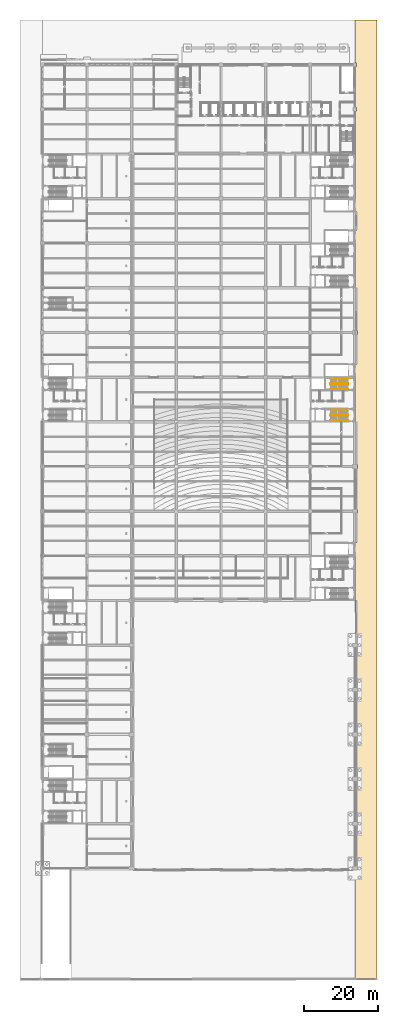
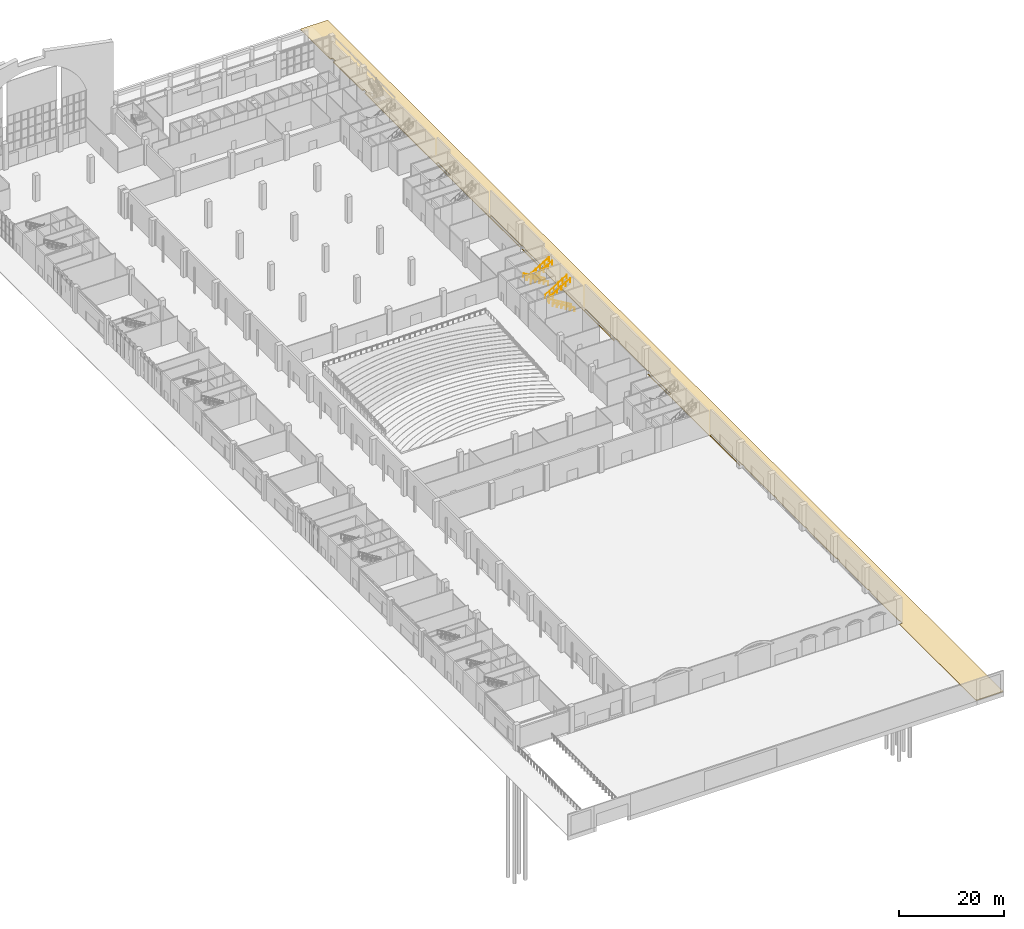
# One storey, part 57 of 59: 8 railings, 1 covering.
"""IFC4 building model written with IfcOpenShell, lengths in metres."""

from ifc_helpers import new_model, si_unit, direction, frame, origin, origin_2d, place, context, subcontext, project, spatial, polyline, circle, outline, extrude, material, layer, layer_set, type_object, element, save


model = new_model("IFC4")

# Units and contexts
model_context = context("Model", 3, precision=1e-05, world=origin(), true_north=direction((0.0, 1.0)))
body_context = subcontext(model_context, "Body", "Model", "MODEL_VIEW")
ifc_project = project(units=[si_unit("LENGTHUNIT", "METRE"), si_unit("AREAUNIT", "SQUARE_METRE"), si_unit("VOLUMEUNIT", "CUBIC_METRE"), si_unit("PLANEANGLEUNIT", "RADIAN"), si_unit("MASSUNIT", "GRAM", prefix="KILO")], contexts=[model_context])

# Site, building, storey
site_placement = place(None, origin())
site = spatial("IfcSite", under=ifc_project, at=site_placement, CompositionType="ELEMENT")
building_placement = place(site_placement, origin())
building = spatial("IfcBuilding", under=site, at=building_placement, Name="Lilac Gate Convention Centre", CompositionType="ELEMENT")
storey_placement = place(building_placement, origin())
storey = spatial("IfcBuildingStorey", under=building, at=storey_placement, Name="L00", CompositionType="ELEMENT", Elevation=0.0)

# Covering
ifc_material_1 = material(Name="Concrete C30", Category="concrete")
ifc_layer = layer(ifc_material_1, 0.14990234375)
ifc_layer_set = layer_set([ifc_layer], Name="Concrete C30")
covering_type = type_object("IfcCoveringType", Name="Paving slab 150", PredefinedType="FLOORING", material=ifc_layer_set)
covering_placement = place(storey_placement, frame((0.0, 0.0, -0.14990234375)))
element("IfcCovering", 1, at=covering_placement, inside=storey, type_object=covering_type, Name="Lane paving east 1", PredefinedType="FLOORING", context=body_context, shape_type="SweptSolid", body=[
    extrude(outline(polyline([(90.0, 258.0), (96.0, 258.0), (96.0, 0.304931640625), (90.0, 0.304931640625), (90.0, 29.5), (90.699951171875, 29.5), (90.699951171875, 30.5), (90.550048828125, 30.5), (90.550048828125, 41.5), (90.699951171875, 41.5), (90.699951171875, 42.5), (90.550048828125, 42.5), (90.550048828125, 53.5), (90.699951171875, 53.5), (90.699951171875, 54.5), (90.550048828125, 54.5), (90.550048828125, 65.5), (90.699951171875, 65.5), (90.699951171875, 66.5), (90.550048828125, 66.5), (90.550048828125, 77.5), (90.699951171875, 77.5), (90.699951171875, 78.5), (90.550048828125, 78.5), (90.550048828125, 89.5), (90.699951171875, 89.5), (90.699951171875, 90.5), (90.550048828125, 90.5), (90.550048828125, 102.0), (90.199951171875, 102.0), (90.199951171875, 90.5), (90.0, 90.5), (90.0, 125.5), (90.199951171875, 125.5), (90.199951171875, 117.60009765625), (90.550048828125, 117.60009765625), (90.550048828125, 125.5), (90.699951171875, 125.5), (90.699951171875, 126.5), (90.550048828125, 126.5), (90.550048828125, 137.5), (90.699951171875, 137.5), (90.699951171875, 138.5), (90.550048828125, 138.5), (90.550048828125, 150.0), (90.199951171875, 150.0), (90.199951171875, 138.5), (90.0, 138.5), (90.0, 173.5), (90.199951171875, 173.5), (90.199951171875, 165.60009765625), (90.550048828125, 165.60009765625), (90.550048828125, 173.5), (90.699951171875, 173.5), (90.699951171875, 174.5), (90.550048828125, 174.5), (90.550048828125, 186.0), (90.199951171875, 186.0), (90.199951171875, 174.5), (90.0, 174.5), (90.0, 233.5), (90.5, 233.5), (90.5, 234.5), (90.0, 234.5), (90.0, 245.5), (90.5, 245.5), (90.5, 246.5), (90.0, 246.5), (90.0, 258.0)]), holes=[polyline([(90.550048828125, 201.60009765625), (90.550048828125, 206.39990234375), (90.199951171875, 206.39990234375), (90.199951171875, 201.60009765625), (90.550048828125, 201.60009765625)])]), origin(), (0.0, 0.0, 1.0), 0.14990234375),
])

# Railings
ifc_material_2 = material(Name="Stainless steel 304", Category="steel")
railing_type = type_object("IfcRailingType", Name="Stair handrail 900", PredefinedType="HANDRAIL", material=ifc_material_2)
for number, where, name in (
    (2, (88.199951171875, 150.35009765625, 0.166748046875), "Stair handrail E2A"),
    (3, (88.199951171875, 151.64990234375, 0.166748046875), "Stair handrail E2A"),
):
    element("IfcRailing", number, at=place(storey_placement, frame(where)), inside=storey, type_object=railing_type, Name=name, PredefinedType="HANDRAIL", context=body_context, shape_type="SweptSolid", body=[
        extrude(circle(Radius=0.02392578125, at=origin_2d()), frame((0.0, 0.0, 0.8759765625), z_axis=(-0.859299802514, 0.0, 0.511472237174), x_axis=(0.0, -1.0, 0.0)), (0.0, 0.0, 1.0), 5.539306640625),
        extrude(circle(Radius=0.02099609375, at=origin_2d()), origin(), (0.0, 0.0, 1.0), 0.851806640625),
        extrude(circle(Radius=0.02099609375, at=origin_2d()), frame((-0.951904296875, 0.0, 0.566650390625)), (0.0, 0.0, 1.0), 0.851806640625),
        extrude(circle(Radius=0.02099609375, at=origin_2d()), frame((-1.904052734375, 0.0, 1.13330078125)), (0.0, 0.0, 1.0), 0.851806640625),
        extrude(circle(Radius=0.02099609375, at=origin_2d()), frame((-2.85595703125, 0.0, 1.699951171875)), (0.0, 0.0, 1.0), 0.851806640625),
        extrude(circle(Radius=0.02099609375, at=origin_2d()), frame((-3.80810546875, 0.0, 2.2666015625)), (0.0, 0.0, 1.0), 0.851806640625),
        extrude(circle(Radius=0.02099609375, at=origin_2d()), frame((-4.760009765625, 0.0, 2.833251953125)), (0.0, 0.0, 1.0), 0.851806640625),
    ])
for number, where, name in (
    (4, (83.43994140625, 151.949951171875, 3.166748046875), "Stair handrail E2A"),
    (5, (83.43994140625, 153.25, 3.166748046875), "Stair handrail E2A"),
):
    element("IfcRailing", number, at=place(storey_placement, frame(where)), inside=storey, type_object=railing_type, Name=name, PredefinedType="HANDRAIL", context=body_context, shape_type="SweptSolid", body=[
        extrude(circle(Radius=0.02392578125, at=origin_2d()), frame((0.0, 0.0, 0.8759765625), z_axis=(0.859299802514, 0.0, 0.511472237174), x_axis=(0.0, 1.0, 0.0)), (0.0, 0.0, 1.0), 5.539306640625),
        extrude(circle(Radius=0.02099609375, at=origin_2d()), origin(), (0.0, 0.0, 1.0), 0.851806640625),
        extrude(circle(Radius=0.02099609375, at=origin_2d()), frame((0.951904296875, 0.0, 0.566650390625)), (0.0, 0.0, 1.0), 0.851806640625),
        extrude(circle(Radius=0.02099609375, at=origin_2d()), frame((1.904052734375, 0.0, 1.13330078125)), (0.0, 0.0, 1.0), 0.851806640625),
        extrude(circle(Radius=0.02099609375, at=origin_2d()), frame((2.85595703125, 0.0, 1.699951171875)), (0.0, 0.0, 1.0), 0.851806640625),
        extrude(circle(Radius=0.02099609375, at=origin_2d()), frame((3.80810546875, 0.0, 2.2666015625)), (0.0, 0.0, 1.0), 0.851806640625),
        extrude(circle(Radius=0.02099609375, at=origin_2d()), frame((4.760009765625, 0.0, 2.833251953125)), (0.0, 0.0, 1.0), 0.851806640625),
    ])
for number, where, name in (
    (6, (88.199951171875, 160.35009765625, 0.166748046875), "Stair handrail E2B"),
    (7, (88.199951171875, 161.64990234375, 0.166748046875), "Stair handrail E2B"),
):
    element("IfcRailing", number, at=place(storey_placement, frame(where)), inside=storey, type_object=railing_type, Name=name, PredefinedType="HANDRAIL", context=body_context, shape_type="SweptSolid", body=[
        extrude(circle(Radius=0.02392578125, at=origin_2d()), frame((0.0, 0.0, 0.8759765625), z_axis=(-0.859299802514, 0.0, 0.511472237174), x_axis=(0.0, -1.0, 0.0)), (0.0, 0.0, 1.0), 5.539306640625),
        extrude(circle(Radius=0.02099609375, at=origin_2d()), origin(), (0.0, 0.0, 1.0), 0.851806640625),
        extrude(circle(Radius=0.02099609375, at=origin_2d()), frame((-0.951904296875, 0.0, 0.566650390625)), (0.0, 0.0, 1.0), 0.851806640625),
        extrude(circle(Radius=0.02099609375, at=origin_2d()), frame((-1.904052734375, 0.0, 1.13330078125)), (0.0, 0.0, 1.0), 0.851806640625),
        extrude(circle(Radius=0.02099609375, at=origin_2d()), frame((-2.85595703125, 0.0, 1.699951171875)), (0.0, 0.0, 1.0), 0.851806640625),
        extrude(circle(Radius=0.02099609375, at=origin_2d()), frame((-3.80810546875, 0.0, 2.2666015625)), (0.0, 0.0, 1.0), 0.851806640625),
        extrude(circle(Radius=0.02099609375, at=origin_2d()), frame((-4.760009765625, 0.0, 2.833251953125)), (0.0, 0.0, 1.0), 0.851806640625),
    ])
for number, where, name in (
    (8, (83.43994140625, 158.75, 3.166748046875), "Stair handrail E2B"),
    (9, (83.43994140625, 160.050048828125, 3.166748046875), "Stair handrail E2B"),
):
    element("IfcRailing", number, at=place(storey_placement, frame(where)), inside=storey, type_object=railing_type, Name=name, PredefinedType="HANDRAIL", context=body_context, shape_type="SweptSolid", body=[
        extrude(circle(Radius=0.02392578125, at=origin_2d()), frame((0.0, 0.0, 0.8759765625), z_axis=(0.859299802514, 0.0, 0.511472237174), x_axis=(0.0, 1.0, 0.0)), (0.0, 0.0, 1.0), 5.539306640625),
        extrude(circle(Radius=0.02099609375, at=origin_2d()), origin(), (0.0, 0.0, 1.0), 0.851806640625),
        extrude(circle(Radius=0.02099609375, at=origin_2d()), frame((0.951904296875, 0.0, 0.566650390625)), (0.0, 0.0, 1.0), 0.851806640625),
        extrude(circle(Radius=0.02099609375, at=origin_2d()), frame((1.904052734375, 0.0, 1.13330078125)), (0.0, 0.0, 1.0), 0.851806640625),
        extrude(circle(Radius=0.02099609375, at=origin_2d()), frame((2.85595703125, 0.0, 1.699951171875)), (0.0, 0.0, 1.0), 0.851806640625),
        extrude(circle(Radius=0.02099609375, at=origin_2d()), frame((3.80810546875, 0.0, 2.2666015625)), (0.0, 0.0, 1.0), 0.851806640625),
        extrude(circle(Radius=0.02099609375, at=origin_2d()), frame((4.760009765625, 0.0, 2.833251953125)), (0.0, 0.0, 1.0), 0.851806640625),
    ])

save(model, "model.ifc")
